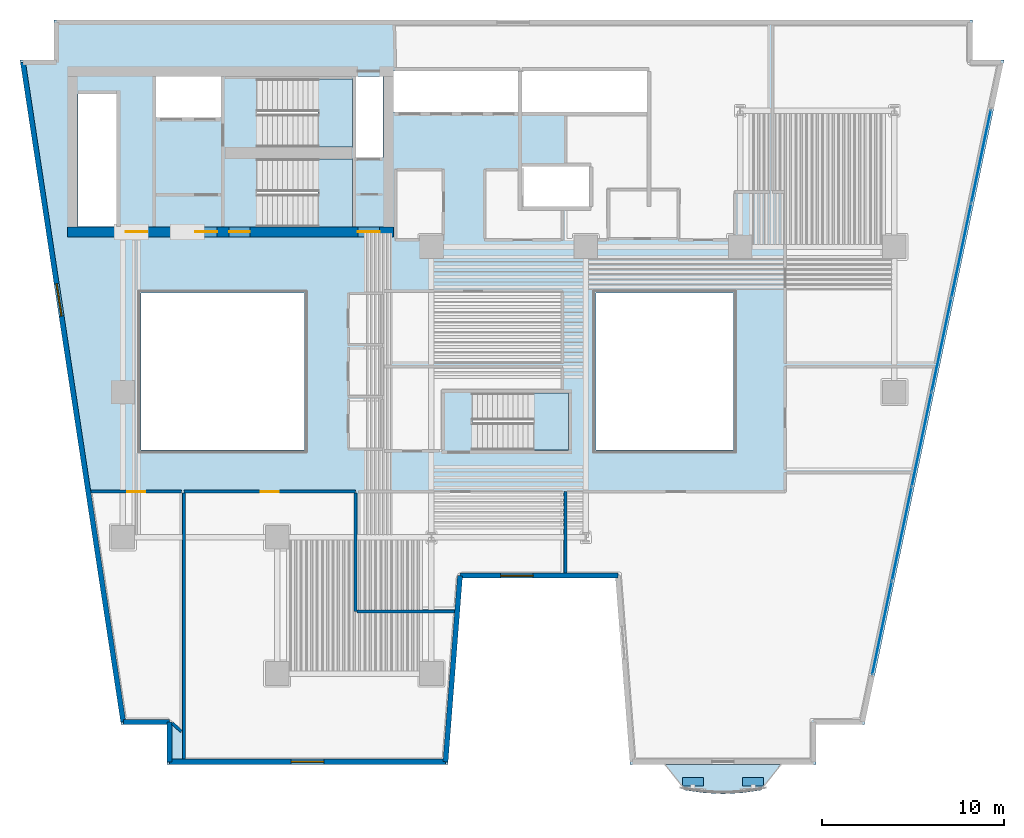
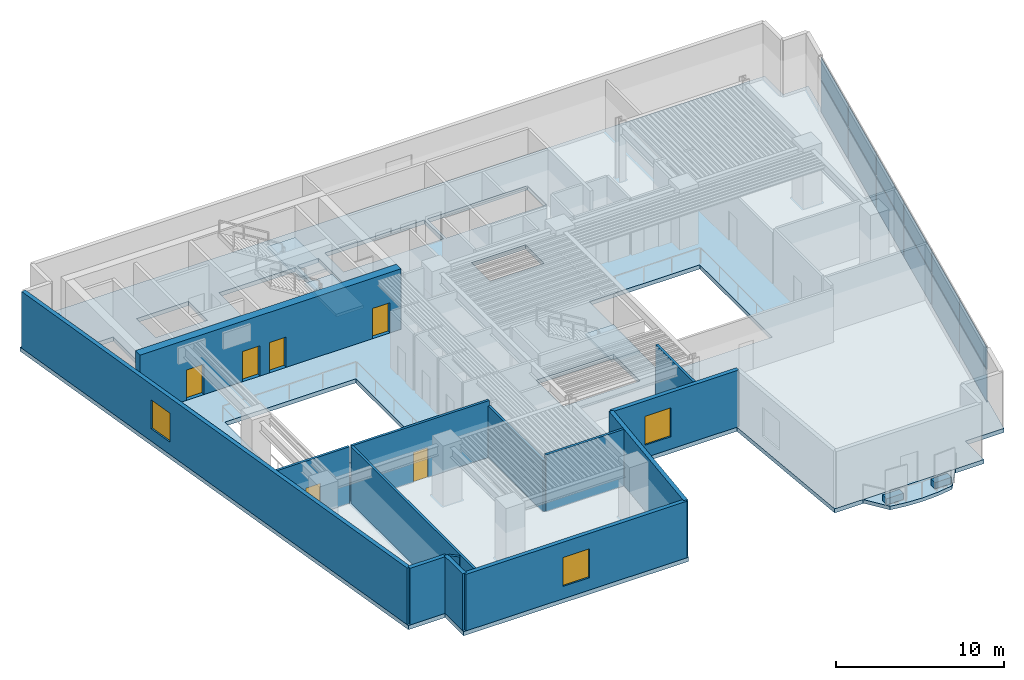
# One storey, part 3 of 11: 14 plates, 14 walls, 6 doors, 5 slabs, 3 windows, 9 openings, 4 elements without a shape of their own.
"""IFC4 building model written with IfcOpenShell, lengths in metres."""

from ifc_helpers import new_model, si_unit, direction, frame, frame_2d, origin, origin_2d, place, context, subcontext, project, spatial, polyline, rectangle, outline, extrude, material, layer, layer_set, type_object, element, fill, aggregate, save


model = new_model("IFC4")

# Units and contexts
model_context = context("Model", 3, precision=1e-05, world=origin(), true_north=direction((0.0, 1.0)))
body_context = subcontext(model_context, "Body", "Model", "MODEL_VIEW")
ifc_project = project(units=[si_unit("LENGTHUNIT", "METRE"), si_unit("AREAUNIT", "SQUARE_METRE"), si_unit("VOLUMEUNIT", "CUBIC_METRE"), si_unit("PLANEANGLEUNIT", "RADIAN"), si_unit("MASSUNIT", "GRAM", prefix="KILO")], contexts=[model_context])

# Site, building, storey
site_placement = place(None, origin())
site = spatial("IfcSite", under=ifc_project, at=site_placement, CompositionType="ELEMENT")
building_placement = place(site_placement, origin())
building = spatial("IfcBuilding", under=site, at=building_placement, Name="Caeloran Harvest Quay", CompositionType="ELEMENT")
storey_placement = place(building_placement, frame((0.0, 0.0, 75.39990234375)))
storey = spatial("IfcBuildingStorey", under=building, at=storey_placement, Name="L17", CompositionType="ELEMENT", Elevation=75.39990234375)

# Slab
ifc_material_1 = material(Name="Concrete C50/60", Category="concrete")
ifc_layer_1 = layer(ifc_material_1, 0.260009765625, Name="Concrete C50/60")
ifc_layer_set_1 = layer_set([ifc_layer_1], Name="Concrete C50/60")
slab_type_1 = type_object("IfcSlabType", Name="BALCONY-BL-260", PredefinedType="FLOOR", material=ifc_layer_set_1)
slab_1_placement = place(storey_placement, frame((0.0, 0.0, -0.260009765625)))
element("IfcSlab", 1, at=slab_1_placement, inside=storey, type_object=slab_type_1, Name="L17 Scalloped Cantilevered Planted Balcony Slab", PredefinedType="FLOOR", context=body_context, shape_type="SweptSolid", body=[
    extrude(outline(polyline([(43.686767578125, 1.08056640625), (42.622802734375, 0.927001953125), (41.55859375, 0.87109375), (40.494384765625, 0.927001953125), (39.43017578125, 1.08056640625), (38.380859375, 2.5), (44.736083984375, 2.5), (43.686767578125, 1.08056640625)])), origin(), (0.0, 0.0, 1.0), 0.260009765625),
])

# Curtain wall, plates
ifc_material_2 = material(Name="Aluminium 6063-T6 and Low-E Glazing", Category="aluminium")
ifc_layer_2 = layer(ifc_material_2, 0.199951171875, Name="Aluminium 6063-T6 and Low-E Glazing")
ifc_layer_set_2 = layer_set([ifc_layer_2], Name="Aluminium 6063-T6 and Low-E Glazing")
curtain_wall_type = type_object("IfcCurtainWallType", Name="CW-SYS-CW-2", PredefinedType="USERDEFINED", material=ifc_layer_set_2)
curtain_wall_placement = place(storey_placement, origin())
curtain_wall = element("IfcCurtainWall", 2, at=curtain_wall_placement, inside=storey, type_object=curtain_wall_type, Name="L17 Unitised Curtain Wall CW-2 Run 9", ObjectType="CURTAIN_WALL", PredefinedType="USERDEFINED")
ifc_material_3 = material(Name="Low-E Double Glazed Vision Glass Unit", Category="glass")
ifc_layer_3 = layer(ifc_material_3, 0.035888671875, Name="Low-E Double Glazed Vision Glass Unit")
ifc_layer_set_3 = layer_set([ifc_layer_3], Name="Low-E Double Glazed Vision Glass Unit")
plate_type_1 = type_object("IfcPlateType", Name="CW-VISION-PANEL", PredefinedType="CURTAIN_PANEL", material=ifc_layer_set_3)
plate_1_placement = place(storey_placement, frame((55.780029296875, 35.993408203125, 0.080078125), z_axis=(0.0, 0.0, 1.0), x_axis=(-0.205582960081, -0.978639691881, 0.0)))
plate_1 = element("IfcPlate", 3, at=plate_1_placement, type_object=plate_type_1, Name="CW-2 panel 1.1", PredefinedType="CURTAIN_PANEL", context=body_context, shape_type="SweptSolid", body=[
    extrude(rectangle(XDim=5.19873046875, YDim=0.035888671875, at=origin_2d()), origin(), (0.0, 0.0, 1.0), 2.280029296875),
])
plate_2_placement = place(storey_placement, frame((55.780029296875, 35.993408203125, 2.43994140625), z_axis=(0.0, 0.0, 1.0), x_axis=(-0.205582960081, -0.978639691881, 0.0)))
plate_2 = element("IfcPlate", 4, at=plate_2_placement, type_object=plate_type_1, Name="CW-2 panel 1.2", PredefinedType="CURTAIN_PANEL", context=body_context, shape_type="SweptSolid", body=[
    extrude(rectangle(XDim=5.19873046875, YDim=0.035888671875, at=origin_2d()), origin(), (0.0, 0.0, 1.0), 1.594970703125),
])
plate_3_placement = place(storey_placement, frame((54.690673828125, 30.807861328125, 0.080078125), z_axis=(0.0, 0.0, 1.0), x_axis=(-0.205582960081, -0.978639691881, 0.0)))
plate_3 = element("IfcPlate", 5, at=plate_3_placement, type_object=plate_type_1, Name="CW-2 panel 2.1", PredefinedType="CURTAIN_PANEL", context=body_context, shape_type="SweptSolid", body=[
    extrude(rectangle(XDim=5.23876953125, YDim=0.035888671875, at=origin_2d()), origin(), (0.0, 0.0, 1.0), 2.280029296875),
])
plate_4_placement = place(storey_placement, frame((54.690673828125, 30.807861328125, 2.43994140625), z_axis=(0.0, 0.0, 1.0), x_axis=(-0.205582960081, -0.978639691881, 0.0)))
plate_4 = element("IfcPlate", 6, at=plate_4_placement, type_object=plate_type_1, Name="CW-2 panel 2.2", PredefinedType="CURTAIN_PANEL", context=body_context, shape_type="SweptSolid", body=[
    extrude(rectangle(XDim=5.23876953125, YDim=0.035888671875, at=origin_2d()), origin(), (0.0, 0.0, 1.0), 1.594970703125),
])
plate_5_placement = place(storey_placement, frame((53.59716796875, 25.6025390625, 0.080078125), z_axis=(0.0, 0.0, 1.0), x_axis=(-0.205582960081, -0.978639691881, 0.0)))
plate_5 = element("IfcPlate", 7, at=plate_5_placement, type_object=plate_type_1, Name="CW-2 panel 3.1", PredefinedType="CURTAIN_PANEL", context=body_context, shape_type="SweptSolid", body=[
    extrude(rectangle(XDim=5.23876953125, YDim=0.035888671875, at=origin_2d()), origin(), (0.0, 0.0, 1.0), 2.280029296875),
])
plate_6_placement = place(storey_placement, frame((53.59716796875, 25.6025390625, 2.43994140625), z_axis=(0.0, 0.0, 1.0), x_axis=(-0.205582960081, -0.978639691881, 0.0)))
plate_6 = element("IfcPlate", 8, at=plate_6_placement, type_object=plate_type_1, Name="CW-2 panel 3.2", PredefinedType="CURTAIN_PANEL", context=body_context, shape_type="SweptSolid", body=[
    extrude(rectangle(XDim=5.23876953125, YDim=0.035888671875, at=origin_2d()), origin(), (0.0, 0.0, 1.0), 1.594970703125),
])
plate_7_placement = place(storey_placement, frame((52.503662109375, 20.3974609375, 0.080078125), z_axis=(0.0, 0.0, 1.0), x_axis=(-0.205582960081, -0.978639691881, 0.0)))
plate_7 = element("IfcPlate", 9, at=plate_7_placement, type_object=plate_type_1, Name="CW-2 panel 4.1", PredefinedType="CURTAIN_PANEL", context=body_context, shape_type="SweptSolid", body=[
    extrude(rectangle(XDim=5.23876953125, YDim=0.035888671875, at=origin_2d()), origin(), (0.0, 0.0, 1.0), 2.280029296875),
])
plate_8_placement = place(storey_placement, frame((52.503662109375, 20.3974609375, 2.43994140625), z_axis=(0.0, 0.0, 1.0), x_axis=(-0.205582960081, -0.978639691881, 0.0)))
plate_8 = element("IfcPlate", 10, at=plate_8_placement, type_object=plate_type_1, Name="CW-2 panel 4.2", PredefinedType="CURTAIN_PANEL", context=body_context, shape_type="SweptSolid", body=[
    extrude(rectangle(XDim=5.23876953125, YDim=0.035888671875, at=origin_2d()), origin(), (0.0, 0.0, 1.0), 1.594970703125),
])
plate_9_placement = place(storey_placement, frame((51.41015625, 15.192138671875, 0.080078125), z_axis=(0.0, 0.0, 1.0), x_axis=(-0.205582960081, -0.978639691881, 0.0)))
plate_9 = element("IfcPlate", 11, at=plate_9_placement, type_object=plate_type_1, Name="CW-2 panel 5.1", PredefinedType="CURTAIN_PANEL", context=body_context, shape_type="SweptSolid", body=[
    extrude(rectangle(XDim=5.23876953125, YDim=0.035888671875, at=origin_2d()), origin(), (0.0, 0.0, 1.0), 2.280029296875),
])
plate_10_placement = place(storey_placement, frame((51.41015625, 15.192138671875, 2.43994140625), z_axis=(0.0, 0.0, 1.0), x_axis=(-0.205582960081, -0.978639691881, 0.0)))
plate_10 = element("IfcPlate", 12, at=plate_10_placement, type_object=plate_type_1, Name="CW-2 panel 5.2", PredefinedType="CURTAIN_PANEL", context=body_context, shape_type="SweptSolid", body=[
    extrude(rectangle(XDim=5.23876953125, YDim=0.035888671875, at=origin_2d()), origin(), (0.0, 0.0, 1.0), 1.594970703125),
])
plate_11_placement = place(storey_placement, frame((50.321044921875, 10.006591796875, 0.080078125), z_axis=(0.0, 0.0, 1.0), x_axis=(-0.205582960081, -0.978639691881, 0.0)))
plate_11 = element("IfcPlate", 13, at=plate_11_placement, type_object=plate_type_1, Name="CW-2 panel 6.1", PredefinedType="CURTAIN_PANEL", context=body_context, shape_type="SweptSolid", body=[
    extrude(rectangle(XDim=5.19873046875, YDim=0.035888671875, at=origin_2d()), origin(), (0.0, 0.0, 1.0), 2.280029296875),
])
plate_12_placement = place(storey_placement, frame((50.321044921875, 10.006591796875, 2.43994140625), z_axis=(0.0, 0.0, 1.0), x_axis=(-0.205582960081, -0.978639691881, 0.0)))
plate_12 = element("IfcPlate", 14, at=plate_12_placement, type_object=plate_type_1, Name="CW-2 panel 6.2", PredefinedType="CURTAIN_PANEL", context=body_context, shape_type="SweptSolid", body=[
    extrude(rectangle(XDim=5.19873046875, YDim=0.035888671875, at=origin_2d()), origin(), (0.0, 0.0, 1.0), 1.594970703125),
])
aggregate(curtain_wall, [plate_1, plate_2, plate_3, plate_4, plate_5, plate_6, plate_7, plate_8, plate_9, plate_10, plate_11, plate_12])

# Plates
ifc_material_4 = material(Name="Precast concrete C50/60", Category="concrete")
ifc_layer_4 = layer(ifc_material_4, 0.449951171875, Name="Precast concrete C50/60")
ifc_layer_set_4 = layer_set([ifc_layer_4], Name="Precast concrete C50/60")
plate_type_2 = type_object("IfcPlateType", Name="PLANTER-TROUGH-450", PredefinedType="USERDEFINED", material=ifc_layer_set_4)
for number, where, z_axis, x_axis, name in (
    (15, (43.218505859375, 1.543212890625, 0.0), (0.0, 0.0, 1.0), (1.0, 0.0, 0.0), "L17 Balcony Vertical-Greenery Precast PLANTER Trough 1"),
    (16, (39.8984375, 1.543212890625, 0.0), (0.0, 0.0, 1.0), (1.0, 0.0, 0.0), "L17 Balcony Vertical-Greenery Precast PLANTER Trough 2"),
):
    element("IfcPlate", number, at=place(storey_placement, frame(where, z_axis=z_axis, x_axis=x_axis)), inside=storey, type_object=plate_type_2, Name=name, ObjectType="PLANTER", PredefinedType="USERDEFINED", context=body_context, shape_type="SweptSolid", body=[
        extrude(rectangle(XDim=1.14990234375, YDim=0.47998046875, at=origin_2d()), origin(), (0.0, 0.0, 1.0), 0.449951171875),
    ])

# Slab
ifc_layer_5 = layer(ifc_material_1, 0.300048828125, Name="Concrete C50/60")
ifc_layer_set_5 = layer_set([ifc_layer_5], Name="Concrete C50/60")
slab_type_2 = type_object("IfcSlabType", Name="SLAB-FS-300", PredefinedType="FLOOR", material=ifc_layer_set_5)
slab_2_placement = place(storey_placement, frame((0.0, 0.0, -0.2998046875)))
element("IfcSlab", 17, at=slab_2_placement, inside=storey, type_object=slab_type_2, Name="L17 Structural Floor Slab", PredefinedType="FLOOR", context=body_context, shape_type="SweptSolid", body=[
    extrude(outline(polyline([(10.93701171875, 2.5), (26.403076171875, 2.5), (27.202880859375, 12.75), (35.640380859375, 12.75), (36.4404296875, 2.5), (46.68701171875, 2.5), (46.68701171875, 4.699951171875), (49.34912109375, 4.699951171875), (57.037841796875, 41.300048828125), (55.300048828125, 41.300048828125), (55.300048828125, 43.5), (4.699951171875, 43.5), (4.699951171875, 41.300048828125), (2.834716796875, 41.300048828125), (8.40234375, 4.699951171875), (10.93701171875, 4.699951171875), (10.93701171875, 2.5)]), holes=[polyline([(18.5, 19.800048828125), (9.5, 19.800048828125), (9.5, 28.449951171875), (18.5, 28.449951171875), (18.5, 19.800048828125)]), polyline([(15.89990234375, 32.10009765625), (15.89990234375, 35.85009765625), (21.14990234375, 35.85009765625), (21.14990234375, 32.10009765625), (15.89990234375, 32.10009765625)]), polyline([(8.159912109375, 32.1201171875), (6.02001953125, 32.1201171875), (6.02001953125, 39.419921875), (8.159912109375, 39.419921875), (8.159912109375, 32.1201171875)]), polyline([(21.35009765625, 35.919921875), (21.35009765625, 40.3798828125), (22.830078125, 40.3798828125), (22.830078125, 35.919921875), (21.35009765625, 35.919921875)]), polyline([(15.89990234375, 40.25), (21.14990234375, 40.25), (21.14990234375, 36.5), (15.89990234375, 36.5), (15.89990234375, 40.25)]), polyline([(13.89990234375, 38.1201171875), (10.320068359375, 38.1201171875), (10.320068359375, 40.3798828125), (13.89990234375, 40.3798828125), (13.89990234375, 38.1201171875)]), polyline([(27.75, 22.949951171875), (33.050048828125, 22.949951171875), (33.050048828125, 19.800048828125), (27.75, 19.800048828125), (27.75, 22.949951171875)]), polyline([(34.550048828125, 19.800048828125), (34.550048828125, 28.449951171875), (42.14990234375, 28.449951171875), (42.14990234375, 19.800048828125), (34.550048828125, 19.800048828125)]), polyline([(34.199951171875, 33.219970703125), (30.47998046875, 33.219970703125), (30.47998046875, 35.429931640625), (34.199951171875, 35.429931640625), (34.199951171875, 33.219970703125)]), polyline([(23.419921875, 38.419921875), (23.419921875, 40.679931640625), (30.280029296875, 40.679931640625), (30.280029296875, 38.419921875), (23.419921875, 38.419921875)]), polyline([(30.47998046875, 38.419921875), (30.47998046875, 40.679931640625), (37.3798828125, 40.679931640625), (37.3798828125, 38.419921875), (30.47998046875, 38.419921875)])]), origin(), (0.0, 0.0, 1.0), 0.2998046875),
])

# Stair, slab
stair_type_1 = type_object("IfcStairType", Name="STAIR-STC-180", PredefinedType="HALF_TURN_STAIR", material=ifc_material_1)
stair_1_placement = place(storey_placement, origin())
stair_1 = element("IfcStair", 18, at=stair_1_placement, inside=storey, type_object=stair_type_1, Name="L17 Core Pressurized Exit Stair ST-C1", PredefinedType="HALF_TURN_STAIR")
ifc_layer_6 = layer(ifc_material_1, 0.219970703125, Name="Concrete C50/60")
ifc_layer_set_6 = layer_set([ifc_layer_6], Name="Concrete C50/60")
slab_type_3 = type_object("IfcSlabType", Name="STAIR-LANDING-220", PredefinedType="LANDING", material=ifc_layer_set_6)
slab_3_placement = place(storey_placement, frame((0.0, 0.0, 2.0)))
slab_3 = element("IfcSlab", 19, at=slab_3_placement, type_object=slab_type_3, Name="ST-C1 landing 1", PredefinedType="LANDING", context=body_context, shape_type="SweptSolid", body=[
    extrude(outline(polyline([(19.260009765625, 36.5), (21.14990234375, 36.5), (21.14990234375, 40.25), (19.260009765625, 40.25), (19.260009765625, 36.5)])), origin(), (0.0, 0.0, 1.0), 0.2001953125),
])
aggregate(stair_1, [slab_3])

stair_2_placement = place(storey_placement, origin())
stair_2 = element("IfcStair", 20, at=stair_2_placement, inside=storey, type_object=stair_type_1, Name="L17 Core Pressurized Exit Stair ST-C2", PredefinedType="HALF_TURN_STAIR")
slab_4_placement = place(storey_placement, frame((0.0, 0.0, 2.0)))
slab_4 = element("IfcSlab", 21, at=slab_4_placement, type_object=slab_type_3, Name="ST-C2 landing 1", PredefinedType="LANDING", context=body_context, shape_type="SweptSolid", body=[
    extrude(outline(polyline([(19.260009765625, 32.10009765625), (21.14990234375, 32.10009765625), (21.14990234375, 35.85009765625), (19.260009765625, 35.85009765625), (19.260009765625, 32.10009765625)])), origin(), (0.0, 0.0, 1.0), 0.2001953125),
])
aggregate(stair_2, [slab_4])

stair_type_2 = type_object("IfcStairType", Name="STAIR-STW-150", PredefinedType="HALF_TURN_STAIR", material=ifc_material_1)
stair_3_placement = place(storey_placement, origin())
stair_3 = element("IfcStair", 22, at=stair_3_placement, inside=storey, type_object=stair_type_2, Name="L17 East Wing Protected Exit Stair ST-W1", PredefinedType="HALF_TURN_STAIR")
slab_5_placement = place(storey_placement, frame((0.0, 0.0, 2.0)))
slab_5 = element("IfcSlab", 23, at=slab_5_placement, type_object=slab_type_3, Name="ST-W1 landing 1", PredefinedType="LANDING", context=body_context, shape_type="SweptSolid", body=[
    extrude(outline(polyline([(31.110107421875, 19.800048828125), (33.050048828125, 19.800048828125), (33.050048828125, 22.949951171875), (31.110107421875, 22.949951171875), (31.110107421875, 19.800048828125)])), origin(), (0.0, 0.0, 1.0), 0.2001953125),
])
aggregate(stair_3, [slab_5])

# Walls
ifc_layer_7 = layer(ifc_material_4, 0.280029296875, Name="Precast concrete C50/60")
ifc_layer_set_7 = layer_set([ifc_layer_7], Name="Precast concrete C50/60")
wall_type_1 = type_object("IfcWallType", Name="ENV-WALL-EW-280", PredefinedType="STANDARD", material=ifc_layer_set_7)
wall_1_placement = place(storey_placement, frame((11.076904296875, 2.639892578125, 0.0), z_axis=(0.0, 0.0, 1.0), x_axis=(0.0, 1.0, 0.0)))
element("IfcWall", 24, at=wall_1_placement, inside=storey, type_object=wall_type_1, Name="L17 Exterior Precast Concrete Facade Wall 1", PredefinedType="STANDARD", context=body_context, shape_type="SweptSolid", body=[
    extrude(rectangle(XDim=2.2001953125, YDim=0.280029296875, at=frame_2d((1.10009765625, 0.0))), origin(), (0.0, 0.0, 1.0), 4.114990234375),
])
wall_2_placement = place(storey_placement, frame((11.076904296875, 4.840087890625, 0.0), z_axis=(0.0, 0.0, 1.0), x_axis=(-1.0, 0.0, 0.0)))
element("IfcWall", 25, at=wall_2_placement, inside=storey, type_object=wall_type_1, Name="L17 Exterior Precast Concrete Facade Wall 2", PredefinedType="STANDARD", context=body_context, shape_type="SweptSolid", body=[
    extrude(rectangle(XDim=2.55419921875, YDim=0.280029296875, at=frame_2d((1.277099609375, 0.0))), origin(), (0.0, 0.0, 1.0), 4.114990234375),
])

# Wall, opening, window
wall_3_placement = place(storey_placement, frame((8.522705078125, 4.840087890625, 0.0), z_axis=(0.0, 0.0, 1.0), x_axis=(-0.150394554312, 0.988626055712, 0.0)))
wall_3 = element("IfcWall", 26, at=wall_3_placement, inside=storey, type_object=wall_type_1, Name="L17 Exterior Precast Concrete Facade Wall 3", PredefinedType="STANDARD", context=body_context, shape_type="SweptSolid", body=[
    extrude(rectangle(XDim=36.73779296875, YDim=0.280029296875, at=frame_2d((18.368896484375, 0.0))), origin(), (0.0, 0.0, 1.0), 4.114990234375),
])
opening_1_placement = place(wall_3_placement, frame((22.612060546875, 0.0, 0.89990234375)))
opening_1 = element("IfcOpeningElement", 27, at=opening_1_placement, cuts=wall_3, Name="Opening W-01", PredefinedType="OPENING", context=body_context, shape_type="SweptSolid", body=[
    extrude(rectangle(XDim=1.800048828125, YDim=2.10009765625, at=frame_2d((0.89990234375, 1.050048828125))), frame((0.0, 0.14990234375, 0.0), z_axis=(0.0, -1.0, 0.0), x_axis=(1.0, 0.0, 0.0)), (0.0, 0.0, 1.0), 0.300048828125),
])
ifc_material_5 = material(Name="Aluminium-Framed Low-E Laminated Glass", Category="aluminium")
window_type = type_object("IfcWindowType", Name="WIN-W-01", PartitioningType="SINGLE_PANEL", PredefinedType="WINDOW", material=ifc_material_5)
window_1_placement = place(opening_1_placement, origin())
window_1 = element("IfcWindow", 28, at=window_1_placement, inside=storey, type_object=window_type, Name="L17 Facade Punched Window W-01", OverallHeight=2.10009765625, OverallWidth=1.800048828125, PartitioningType="SINGLE_PANEL", PredefinedType="WINDOW", context=body_context, shape_type="SweptSolid", body=[
    extrude(rectangle(XDim=1.800048828125, YDim=2.10009765625, at=frame_2d((0.89990234375, 1.050048828125))), frame((0.0, 0.030029296875, 0.0), z_axis=(0.0, -1.0, 0.0), x_axis=(1.0, 0.0, 0.0)), (0.0, 0.0, 1.0), 0.06005859375),
])
fill(opening_1, window_1)

wall_4_placement = place(storey_placement, frame((35.77001953125, 12.889892578125, 0.0), z_axis=(0.0, 0.0, 1.0), x_axis=(-1.0, 0.0, 0.0)))
wall_4 = element("IfcWall", 29, at=wall_4_placement, inside=storey, type_object=wall_type_1, Name="L17 Exterior Precast Concrete Facade Wall 14", PredefinedType="STANDARD", context=body_context, shape_type="SweptSolid", body=[
    extrude(rectangle(XDim=8.696533203125, YDim=0.280029296875, at=frame_2d((4.34814453125, 0.0))), origin(), (0.0, 0.0, 1.0), 4.114990234375),
])
opening_2_placement = place(wall_4_placement, frame((4.666015625, 0.0, 0.89990234375)))
opening_2 = element("IfcOpeningElement", 30, at=opening_2_placement, cuts=wall_4, Name="Opening W-01", PredefinedType="OPENING", context=body_context, shape_type="SweptSolid", body=[
    extrude(rectangle(XDim=1.800048828125, YDim=2.10009765625, at=frame_2d((0.89990234375, 1.050048828125))), frame((0.0, 0.14990234375, 0.0), z_axis=(0.0, -1.0, 0.0), x_axis=(1.0, 0.0, 0.0)), (0.0, 0.0, 1.0), 0.300048828125),
])
window_2_placement = place(opening_2_placement, origin())
window_2 = element("IfcWindow", 31, at=window_2_placement, inside=storey, type_object=window_type, Name="L17 Facade Punched Window W-01", OverallHeight=2.10009765625, OverallWidth=1.800048828125, PartitioningType="SINGLE_PANEL", PredefinedType="WINDOW", context=body_context, shape_type="SweptSolid", body=[
    extrude(rectangle(XDim=1.800048828125, YDim=2.10009765625, at=frame_2d((0.89990234375, 1.050048828125))), frame((0.0, 0.030029296875, 0.0), z_axis=(0.0, -1.0, 0.0), x_axis=(1.0, 0.0, 0.0)), (0.0, 0.0, 1.0), 0.06005859375),
])
fill(opening_2, window_2)

# Wall
wall_5_placement = place(storey_placement, frame((27.073486328125, 12.889892578125, 0.0), z_axis=(0.0, 0.0, 1.0), x_axis=(-0.077816860153, -0.996967670627, 0.0)))
element("IfcWall", 32, at=wall_5_placement, inside=storey, type_object=wall_type_1, Name="L17 Exterior Precast Concrete Facade Wall 15", PredefinedType="STANDARD", context=body_context, shape_type="SweptSolid", body=[
    extrude(rectangle(XDim=10.28125, YDim=0.280029296875, at=frame_2d((5.140625, 0.0))), origin(), (0.0, 0.0, 1.0), 4.114990234375),
])

# Wall, opening, window
wall_6_placement = place(storey_placement, frame((26.2734375, 2.639892578125, 0.0), z_axis=(0.0, 0.0, 1.0), x_axis=(-1.0, 0.0, 0.0)))
wall_6 = element("IfcWall", 33, at=wall_6_placement, inside=storey, type_object=wall_type_1, Name="L17 Exterior Precast Concrete Facade Wall 16", PredefinedType="STANDARD", context=body_context, shape_type="SweptSolid", body=[
    extrude(rectangle(XDim=15.196533203125, YDim=0.280029296875, at=frame_2d((7.59814453125, 0.0))), origin(), (0.0, 0.0, 1.0), 4.114990234375),
])
opening_3_placement = place(wall_6_placement, frame((6.697998046875, 0.0, 0.89990234375)))
opening_3 = element("IfcOpeningElement", 34, at=opening_3_placement, cuts=wall_6, Name="Opening W-01", PredefinedType="OPENING", context=body_context, shape_type="SweptSolid", body=[
    extrude(rectangle(XDim=1.800048828125, YDim=2.10009765625, at=frame_2d((0.89990234375, 1.050048828125))), frame((0.0, 0.14990234375, 0.0), z_axis=(0.0, -1.0, 0.0), x_axis=(1.0, 0.0, 0.0)), (0.0, 0.0, 1.0), 0.300048828125),
])
window_3_placement = place(opening_3_placement, origin())
window_3 = element("IfcWindow", 35, at=window_3_placement, inside=storey, type_object=window_type, Name="L17 Facade Punched Window W-01", OverallHeight=2.10009765625, OverallWidth=1.800048828125, PartitioningType="SINGLE_PANEL", PredefinedType="WINDOW", context=body_context, shape_type="SweptSolid", body=[
    extrude(rectangle(XDim=1.800048828125, YDim=2.10009765625, at=frame_2d((0.89990234375, 1.050048828125))), frame((0.0, 0.030029296875, 0.0), z_axis=(0.0, -1.0, 0.0), x_axis=(1.0, 0.0, 0.0)), (0.0, 0.0, 1.0), 0.06005859375),
])
fill(opening_3, window_3)

# Wall, opening, door
ifc_material_6 = material(Name="Autoclaved Aerated Concrete Blockwork", Category="masonry")
ifc_layer_8 = layer(ifc_material_6, 0.1650390625, Name="Autoclaved Aerated Concrete Blockwork")
ifc_layer_set_8 = layer_set([ifc_layer_8], Name="Autoclaved Aerated Concrete Blockwork")
wall_type_2 = type_object("IfcWallType", Name="INT-WALL-PW-165", PredefinedType="PARTITIONING", material=ifc_layer_set_8)
wall_7_placement = place(storey_placement, frame((11.8798828125, 17.52001953125, 0.0), z_axis=(0.0, 0.0, 1.0), x_axis=(1.0, 0.0, 0.0)))
wall_7 = element("IfcWall", 36, at=wall_7_placement, inside=storey, type_object=wall_type_2, Name="Dwarf Citrus Mezzanine Growing Hall Partition Wall", PredefinedType="PARTITIONING", context=body_context, shape_type="SweptSolid", body=[
    extrude(rectangle(XDim=9.440185546875, YDim=0.1650390625, at=frame_2d((4.72021484375, 0.0))), origin(), (0.0, 0.0, 1.0), 4.114990234375),
])
opening_4_placement = place(wall_7_placement, frame((4.219970703125, 0.0, 0.0)))
opening_4 = element("IfcOpeningElement", 37, at=opening_4_placement, cuts=wall_7, Name="Opening ID-01", PredefinedType="OPENING", context=body_context, shape_type="SweptSolid", body=[
    extrude(rectangle(XDim=1.0, YDim=2.14990234375, at=frame_2d((0.5, 1.074951171875))), frame((0.0, 0.092529296875, 0.0), z_axis=(0.0, -1.0, 0.0), x_axis=(1.0, 0.0, 0.0)), (0.0, 0.0, 1.0), 0.18505859375),
])
ifc_material_7 = material(Name="FSC Solid-Core Ash Timber and Acoustic Seal", Category="wood")
door_type_1 = type_object("IfcDoorType", Name="INTDOOR-ID-01", OperationType="NOTDEFINED", PredefinedType="DOOR", material=ifc_material_7)
door_1_placement = place(opening_4_placement, origin())
door_1 = element("IfcDoor", 38, at=door_1_placement, inside=storey, type_object=door_type_1, Name="Dwarf Citrus Mezzanine Growing Hall Access Door", OperationType="SINGLE_SWING_LEFT", OverallHeight=2.14990234375, OverallWidth=1.0, PredefinedType="DOOR", context=body_context, shape_type="SweptSolid", body=[
    extrude(rectangle(XDim=1.0, YDim=2.14990234375, at=frame_2d((0.5, 1.074951171875))), frame((0.0, 0.02490234375, 0.0), z_axis=(0.0, -1.0, 0.0), x_axis=(1.0, 0.0, 0.0)), (0.0, 0.0, 1.0), 0.050048828125),
])
fill(opening_4, door_1)

# Walls
wall_8_placement = place(storey_placement, frame((21.320068359375, 17.4326171875, 0.0), z_axis=(0.0, 0.0, 1.0), x_axis=(0.0, -1.0, 0.0)))
element("IfcWall", 39, at=wall_8_placement, inside=storey, type_object=wall_type_2, Name="Dwarf Citrus Mezzanine Growing Hall Partition Wall", PredefinedType="PARTITIONING", context=body_context, shape_type="SweptSolid", body=[
    extrude(rectangle(XDim=6.5126953125, YDim=0.1650390625, at=frame_2d((3.25634765625, 0.0))), origin(), (0.0, 0.0, 1.0), 3.739990234375),
])
wall_9_placement = place(storey_placement, frame((21.407470703125, 10.919921875, 0.0), z_axis=(0.0, 0.0, 1.0), x_axis=(1.0, 0.0, 0.0)))
element("IfcWall", 40, at=wall_9_placement, inside=storey, type_object=wall_type_2, Name="Dwarf Citrus Mezzanine Growing Hall Partition Wall", PredefinedType="PARTITIONING", context=body_context, shape_type="SweptSolid", body=[
    extrude(rectangle(XDim=5.366943359375, YDim=0.1650390625, at=frame_2d((2.68359375, 0.0))), origin(), (0.0, 0.0, 1.0), 4.114990234375),
])
wall_10_placement = place(storey_placement, frame((11.8798828125, 2.784912109375, 0.0), z_axis=(0.0, 0.0, 1.0), x_axis=(0.0, 1.0, 0.0)))
element("IfcWall", 41, at=wall_10_placement, inside=storey, type_object=wall_type_2, Name="Dwarf Citrus Mezzanine Growing Hall Partition Wall", PredefinedType="PARTITIONING", context=body_context, shape_type="SweptSolid", body=[
    extrude(rectangle(XDim=14.647705078125, YDim=0.1650390625, at=frame_2d((7.32373046875, 0.0))), origin(), (0.0, 0.0, 1.0), 4.114990234375),
])
wall_11_placement = place(storey_placement, frame((32.8798828125, 13.034912109375, 0.0), z_axis=(0.0, 0.0, 1.0), x_axis=(0.0, 1.0, 0.0)))
element("IfcWall", 42, at=wall_11_placement, inside=storey, type_object=wall_type_2, Name="Medicinal Plant Aeroponic Room Partition Wall", PredefinedType="PARTITIONING", context=body_context, shape_type="SweptSolid", body=[
    extrude(rectangle(XDim=4.485107421875, YDim=0.1650390625, at=frame_2d((2.24267578125, 0.0))), origin(), (0.0, 0.0, 1.0), 4.114990234375),
])
wall_12_placement = place(storey_placement, frame((11.719970703125, 4.31396484375, 0.0), z_axis=(0.0, 0.0, 1.0), x_axis=(-0.741303295748, 0.671170189827, 0.0)))
element("IfcWall", 43, at=wall_12_placement, inside=storey, type_object=wall_type_2, Name="Photobiology Spectrum Laboratory Partition Wall", PredefinedType="PARTITIONING", context=body_context, shape_type="SweptSolid", body=[
    extrude(rectangle(XDim=0.671875, YDim=0.1650390625, at=frame_2d((0.3359375, 0.0))), origin(), (0.0, 0.0, 1.0), 4.114990234375),
])

# Wall, opening, door
wall_13_placement = place(storey_placement, frame((6.740478515625, 17.52001953125, 0.0), z_axis=(0.0, 0.0, 1.0), x_axis=(1.0, 0.0, 0.0)))
wall_13 = element("IfcWall", 44, at=wall_13_placement, inside=storey, type_object=wall_type_2, Name="Photobiology Spectrum Laboratory Partition Wall", PredefinedType="PARTITIONING", context=body_context, shape_type="SweptSolid", body=[
    extrude(rectangle(XDim=4.9794921875, YDim=0.1650390625, at=frame_2d((2.48974609375, 0.0))), origin(), (0.0, 0.0, 1.0), 4.114990234375),
])
opening_5_placement = place(wall_13_placement, frame((1.98974609375, 0.0, 0.0)))
opening_5 = element("IfcOpeningElement", 45, at=opening_5_placement, cuts=wall_13, Name="Opening ID-01", PredefinedType="OPENING", context=body_context, shape_type="SweptSolid", body=[
    extrude(rectangle(XDim=1.0, YDim=2.14990234375, at=frame_2d((0.5, 1.074951171875))), frame((0.0, 0.092529296875, 0.0), z_axis=(0.0, -1.0, 0.0), x_axis=(1.0, 0.0, 0.0)), (0.0, 0.0, 1.0), 0.18505859375),
])
door_2_placement = place(opening_5_placement, origin())
door_2 = element("IfcDoor", 46, at=door_2_placement, inside=storey, type_object=door_type_1, Name="Photobiology Spectrum Laboratory Access Door", OperationType="SINGLE_SWING_LEFT", OverallHeight=2.14990234375, OverallWidth=1.0, PredefinedType="DOOR", context=body_context, shape_type="SweptSolid", body=[
    extrude(rectangle(XDim=1.0, YDim=2.14990234375, at=frame_2d((0.5, 1.074951171875))), frame((0.0, 0.02490234375, 0.0), z_axis=(0.0, -1.0, 0.0), x_axis=(1.0, 0.0, 0.0)), (0.0, 0.0, 1.0), 0.050048828125),
])
fill(opening_5, door_2)

# Wall, openings, doors
ifc_material_8 = material(Name="Concrete C80/95", Category="concrete")
ifc_layer_9 = layer(ifc_material_8, 0.550048828125, Name="Concrete C80/95")
ifc_layer_set_9 = layer_set([ifc_layer_9], Name="Concrete C80/95")
wall_type_3 = type_object("IfcWallType", Name="STR-WALL-CW-550", PredefinedType="SHEAR", material=ifc_layer_set_9)
wall_14_placement = place(storey_placement, frame((5.449951171875, 31.824951171875, 0.0), z_axis=(0.0, 0.0, 1.0), x_axis=(1.0, 0.0, 0.0)))
wall_14 = element("IfcWall", 47, at=wall_14_placement, inside=storey, type_object=wall_type_3, Name="L17 Rear Core Shear Wall S", PredefinedType="SHEAR", context=body_context, shape_type="SweptSolid", body=[
    extrude(rectangle(XDim=17.949951171875, YDim=0.550048828125, at=frame_2d((8.97509765625, 0.0))), origin(), (0.0, 0.0, 1.0), 4.400146484375),
])
opening_6_placement = place(wall_14_placement, frame((3.199951171875, 0.0, 0.0)))
opening_6 = element("IfcOpeningElement", 48, at=opening_6_placement, cuts=wall_14, Name="Opening FD-01", PredefinedType="OPENING", context=body_context, shape_type="SweptSolid", body=[
    extrude(rectangle(XDim=1.199951171875, YDim=2.199951171875, at=frame_2d((0.60009765625, 1.10009765625))), frame((0.0, 0.28515625, 0.0), z_axis=(0.0, -1.0, 0.0), x_axis=(1.0, 0.0, 0.0)), (0.0, 0.0, 1.0), 0.570068359375),
])
opening_7_placement = place(wall_14_placement, frame((7.050048828125, 0.0, 0.0)))
opening_7 = element("IfcOpeningElement", 49, at=opening_7_placement, cuts=wall_14, Name="Opening FD-01", PredefinedType="OPENING", context=body_context, shape_type="SweptSolid", body=[
    extrude(rectangle(XDim=1.199951171875, YDim=2.199951171875, at=frame_2d((0.60009765625, 1.10009765625))), frame((0.0, 0.28515625, 0.0), z_axis=(0.0, -1.0, 0.0), x_axis=(1.0, 0.0, 0.0)), (0.0, 0.0, 1.0), 0.570068359375),
])
opening_8_placement = place(wall_14_placement, frame((8.89990234375, 0.0, 0.0)))
opening_8 = element("IfcOpeningElement", 50, at=opening_8_placement, cuts=wall_14, Name="Opening SD-01", PredefinedType="OPENING", context=body_context, shape_type="SweptSolid", body=[
    extrude(rectangle(XDim=1.14990234375, YDim=2.199951171875, at=frame_2d((0.574951171875, 1.10009765625))), frame((0.0, 0.28515625, 0.0), z_axis=(0.0, -1.0, 0.0), x_axis=(1.0, 0.0, 0.0)), (0.0, 0.0, 1.0), 0.570068359375),
])
opening_9_placement = place(wall_14_placement, frame((16.0, 0.0, 0.0)))
opening_9 = element("IfcOpeningElement", 51, at=opening_9_placement, cuts=wall_14, Name="Opening FD-01", PredefinedType="OPENING", context=body_context, shape_type="SweptSolid", body=[
    extrude(rectangle(XDim=1.199951171875, YDim=2.199951171875, at=frame_2d((0.60009765625, 1.10009765625))), frame((0.0, 0.28515625, 0.0), z_axis=(0.0, -1.0, 0.0), x_axis=(1.0, 0.0, 0.0)), (0.0, 0.0, 1.0), 0.570068359375),
])
ifc_material_9 = material(Name="Steel", Category="steel")
door_type_2 = type_object("IfcDoorType", Name="INTDOOR-FD-01", OperationType="NOTDEFINED", PredefinedType="DOOR", material=ifc_material_9)
door_3_placement = place(opening_6_placement, origin())
door_3 = element("IfcDoor", 52, at=door_3_placement, inside=storey, type_object=door_type_2, Name="L17 High-Rise Lift Lobby Fire Door", OperationType="SINGLE_SWING_LEFT", OverallHeight=2.199951171875, OverallWidth=1.199951171875, PredefinedType="DOOR", context=body_context, shape_type="SweptSolid", body=[
    extrude(rectangle(XDim=1.199951171875, YDim=2.199951171875, at=frame_2d((0.60009765625, 1.10009765625))), frame((0.0, 0.02490234375, 0.0), z_axis=(0.0, -1.0, 0.0), x_axis=(1.0, 0.0, 0.0)), (0.0, 0.0, 1.0), 0.050048828125),
])
fill(opening_6, door_3)
door_4_placement = place(opening_7_placement, origin())
door_4 = element("IfcDoor", 53, at=door_4_placement, inside=storey, type_object=door_type_2, Name="L17 Firefighting Lobby Vestibule Fire Door", OperationType="SINGLE_SWING_RIGHT", OverallHeight=2.199951171875, OverallWidth=1.199951171875, PredefinedType="DOOR", context=body_context, shape_type="SweptSolid", body=[
    extrude(rectangle(XDim=1.199951171875, YDim=2.199951171875, at=frame_2d((0.60009765625, 1.10009765625))), frame((0.0, 0.02490234375, 0.0), z_axis=(0.0, -1.0, 0.0), x_axis=(1.0, 0.0, 0.0)), (0.0, 0.0, 1.0), 0.050048828125),
])
fill(opening_7, door_4)
door_5_placement = place(opening_9_placement, origin())
door_5 = element("IfcDoor", 54, at=door_5_placement, inside=storey, type_object=door_type_2, Name="L17 Service Lift Lobby Fire Door", OperationType="SINGLE_SWING_RIGHT", OverallHeight=2.199951171875, OverallWidth=1.199951171875, PredefinedType="DOOR", context=body_context, shape_type="SweptSolid", body=[
    extrude(rectangle(XDim=1.199951171875, YDim=2.199951171875, at=frame_2d((0.60009765625, 1.10009765625))), frame((0.0, 0.02490234375, 0.0), z_axis=(0.0, -1.0, 0.0), x_axis=(1.0, 0.0, 0.0)), (0.0, 0.0, 1.0), 0.050048828125),
])
fill(opening_9, door_5)
door_type_3 = type_object("IfcDoorType", Name="INTDOOR-SD-01", OperationType="NOTDEFINED", PredefinedType="DOOR", material=ifc_material_9)
door_6_placement = place(opening_8_placement, origin())
door_6 = element("IfcDoor", 55, at=door_6_placement, inside=storey, type_object=door_type_3, Name="L17 Protected Stair ST-C2 Exit Door", OperationType="SINGLE_SWING_LEFT", OverallHeight=2.199951171875, OverallWidth=1.14990234375, PredefinedType="DOOR", context=body_context, shape_type="SweptSolid", body=[
    extrude(rectangle(XDim=1.14990234375, YDim=2.199951171875, at=frame_2d((0.574951171875, 1.10009765625))), frame((0.0, 0.02490234375, 0.0), z_axis=(0.0, -1.0, 0.0), x_axis=(1.0, 0.0, 0.0)), (0.0, 0.0, 1.0), 0.050048828125),
])
fill(opening_8, door_6)

save(model, "model.ifc")
